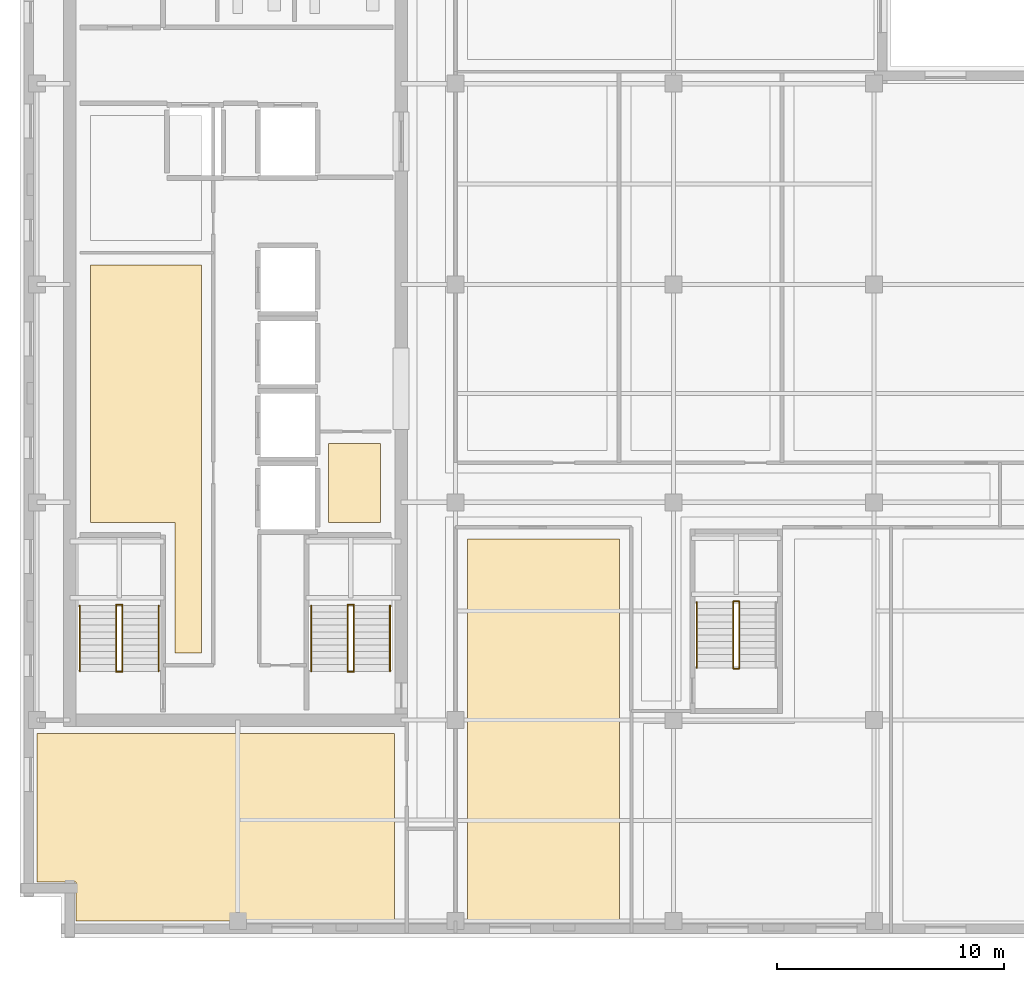
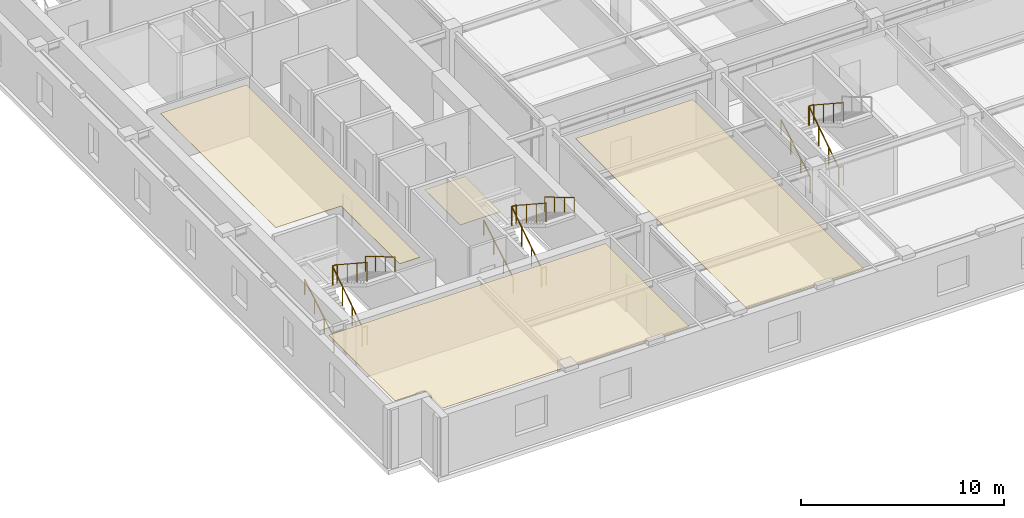
# One storey, part 7 of 10: 17 railings, 4 coverings.
"""IFC4 building model written with IfcOpenShell, lengths in metres."""

import ifcopenshell
import ifcopenshell.guid

model = None  # the IFC model being written
_history = None  # IfcOwnerHistory: only IFC2X3 demands one
_inside = {}  # id of a spatial element -> (the spatial element, [elements in it])
_under = {}  # id of a project, library or spatial element -> (it, [spatial elements below it])
_declared = {}  # id of a project -> (the project, [libraries it declares])
_typed = {}  # id of a type object -> (the type object, [elements of that type])
_made_of = {}  # id of a material, layer set ... -> (it, [elements and type objects made of it])


def new_model(schema):
    """Start an empty IFC model of exactly this schema.

    Asked for "IFC4X3", IfcOpenShell would pick the latest addendum, in which some entities
    have other attributes; the version numbers below select the first issue.
    IFC2X3 requires an IfcOwnerHistory on every rooted entity: one is made here for all.
    """
    global model, _history
    if schema == "IFC4X3":
        model = ifcopenshell.file(schema_version=(4, 3, 0, 0))
    else:
        model = ifcopenshell.file(schema=schema)
    _inside.clear()
    _under.clear()
    _declared.clear()
    _typed.clear()
    _made_of.clear()
    _history = None
    if model.schema == "IFC2X3":
        org = make("IfcOrganization", Name="unknown")
        user = make(
            "IfcPersonAndOrganization",
            ThePerson=make("IfcPerson", FamilyName="unknown"),
            TheOrganization=org,
        )
        app = make(
            "IfcApplication",
            ApplicationDeveloper=org,
            Version="unknown",
            ApplicationFullName="unknown",
            ApplicationIdentifier="unknown",
        )
        _history = make(
            "IfcOwnerHistory",
            OwningUser=user,
            OwningApplication=app,
            ChangeAction="ADDED",
            CreationDate=0,
        )
    return model


def make(cls, **values):
    """One entity of the class cls with the attributes given. An attribute that is None is left unset."""
    return model.create_entity(
        cls, **{name: value for name, value in values.items() if value is not None}
    )


def rooted(cls, **values):
    """An entity with a GlobalId (a new one), such as an element, a storey or a relation."""
    return make(cls, GlobalId=ifcopenshell.guid.new(), OwnerHistory=_history, **values)


def si_unit(unit_type, name, prefix=None):
    """IfcSIUnit, for example si_unit("LENGTHUNIT", "METRE", prefix="MILLI")."""
    return make("IfcSIUnit", UnitType=unit_type, Prefix=prefix, Name=name)


def assignment(units):
    """IfcUnitAssignment: the units of a project."""
    return None if units is None else make("IfcUnitAssignment", Units=units)


def point(xyz):
    """IfcCartesianPoint."""
    return None if xyz is None else make("IfcCartesianPoint", Coordinates=xyz)


def direction(xyz):
    """IfcDirection."""
    return None if xyz is None else make("IfcDirection", DirectionRatios=xyz)


def frame(location, z_axis=None, x_axis=None):
    """IfcAxis2Placement3D, a coordinate frame: its origin and axes. An axis left out is left unset."""
    return make(
        "IfcAxis2Placement3D",
        Location=point(location),
        Axis=direction(z_axis),
        RefDirection=direction(x_axis),
    )


def frame_2d(location, x_axis=None):
    """IfcAxis2Placement2D, a coordinate frame in the plane: its origin and x axis."""
    return make(
        "IfcAxis2Placement2D", Location=point(location), RefDirection=direction(x_axis)
    )


def origin():
    """The frame at (0, 0, 0) with its axes left unset."""
    return frame((0.0, 0.0, 0.0))


def origin_2d():
    """The frame at (0, 0) in the plane with its x axis left unset."""
    return frame_2d((0.0, 0.0))


def place(relative_to, where):
    """IfcLocalPlacement: puts the frame where relative to a parent placement (None: the world)."""
    return make(
        "IfcLocalPlacement", PlacementRelTo=relative_to, RelativePlacement=where
    )


def context(
    kind, dimensions, precision=None, world=None, true_north=None, identifier=None
):
    """IfcGeometricRepresentationContext, for example the 3D "Model" context."""
    return make(
        "IfcGeometricRepresentationContext",
        ContextIdentifier=identifier,
        ContextType=kind,
        CoordinateSpaceDimension=dimensions,
        Precision=precision,
        WorldCoordinateSystem=world,
        TrueNorth=true_north,
    )


def subcontext(parent, identifier, kind, view, scale=None):
    """IfcGeometricRepresentationSubContext, for example "Body" below "Model"."""
    return make(
        "IfcGeometricRepresentationSubContext",
        ContextIdentifier=identifier,
        ContextType=kind,
        ParentContext=parent,
        TargetScale=scale,
        TargetView=view,
    )


def project(units=None, contexts=None):
    """IfcProject with its units and contexts."""
    return rooted(
        "IfcProject",
        Name="project",
        RepresentationContexts=contexts,
        UnitsInContext=assignment(units),
    )


def spatial(cls, under=None, at=None, **own):
    """A site, building, storey or space (cls), placed at a placement, below another one or the project."""
    s = rooted(cls, ObjectPlacement=at, **own)
    if under is not None:
        _under.setdefault(under.id(), (under, []))[1].append(s)
    return s


def polyline(points):
    """IfcPolyline through the points."""
    return make("IfcPolyline", Points=[point(p) for p in points])


def profile(cls, at=None, kind="AREA", **sizes):
    """A parametric profile (cls). Its sizes go by their IFC names, for example OverallWidth=200.0."""
    return make(cls, ProfileType=kind, Position=at, **sizes)


def circle(**sizes):
    """IfcCircleProfileDef."""
    return profile("IfcCircleProfileDef", **sizes)


def outline(outer, holes=None, kind="AREA"):
    """IfcArbitraryClosedProfileDef: a profile drawn as a closed curve; with holes, ...WithVoids."""
    if holes is None:
        return make("IfcArbitraryClosedProfileDef", ProfileType=kind, OuterCurve=outer)
    return make(
        "IfcArbitraryProfileDefWithVoids",
        ProfileType=kind,
        OuterCurve=outer,
        InnerCurves=holes,
    )


def extrude(swept, where, along, depth):
    """IfcExtrudedAreaSolid: the profile swept, set in the frame where, extruded along a direction by depth."""
    return make(
        "IfcExtrudedAreaSolid",
        SweptArea=swept,
        Position=where,
        ExtrudedDirection=direction(along),
        Depth=depth,
    )


def shape(context_of_items, identifier, shape_type, items):
    """IfcShapeRepresentation: the items that make up one representation, for example the "Body"."""
    return make(
        "IfcShapeRepresentation",
        ContextOfItems=context_of_items,
        RepresentationIdentifier=identifier,
        RepresentationType=shape_type,
        Items=items,
    )


def material(Name=None, Category=None):
    """IfcMaterial."""
    return make("IfcMaterial", Name=Name, Category=Category)


def layer(
    of_material, thickness, ventilated=None, Name=None, Category=None, Priority=None
):
    """IfcMaterialLayer: one layer of a wall or slab, of a material (None: an air gap)."""
    return make(
        "IfcMaterialLayer",
        Material=of_material,
        LayerThickness=thickness,
        IsVentilated=ventilated,
        Name=Name,
        Category=Category,
        Priority=Priority,
    )


def layer_set(layers, Name=None):
    """IfcMaterialLayerSet."""
    return make("IfcMaterialLayerSet", MaterialLayers=layers, LayerSetName=Name)


def made_of(thing, what):
    """Note that an element or type object is made of a material, layer set ...; save() writes the relation."""
    if what is not None:
        _made_of.setdefault(what.id(), (what, []))[1].append(thing)
    return thing


def type_object(cls, material=None, **own):
    """A type object (cls), such as IfcWallType, which elements share."""
    return made_of(rooted(cls, **own), material)


def element(
    cls,
    number,
    at=None,
    inside=None,
    cuts=None,
    type_object=None,
    material=None,
    context=None,
    identifier="Body",
    shape_type=None,
    held_by="IfcProductDefinitionShape",
    body=None,
    shapes=None,
    **own,
):
    """One element of the class cls, such as IfcWall. Its Tag is "e" and its number.

    at: its placement. inside: the storey or other place that contains it. cuts: it is an
    opening in that element (IfcRelVoidsElement). A single representation is given by context,
    identifier, shape_type and body (its items); several are given by shapes. held_by: the class
    of the entity that holds the representations. save() writes the other relations.
    """
    e = rooted(cls, Tag="e%d" % number, ObjectPlacement=at, **own)
    if body is not None:
        shapes = [shape(context, identifier, shape_type, body)]
    if shapes is not None:
        e.Representation = make(held_by, Representations=shapes)
    if inside is not None:
        _inside.setdefault(inside.id(), (inside, []))[1].append(e)
    if cuts is not None:
        rooted(
            "IfcRelVoidsElement", RelatingBuildingElement=cuts, RelatedOpeningElement=e
        )
    if type_object is not None:
        _typed.setdefault(type_object.id(), (type_object, []))[1].append(e)
    return made_of(e, material)


def aggregate(whole, parts):
    """IfcRelAggregates: a whole, such as a stair, and the parts it consists of."""
    return rooted("IfcRelAggregates", RelatingObject=whole, RelatedObjects=parts)


def save(model, path):
    """Write the relations noted so far, then the file.

    IfcRelAggregates (storeys below a building ...), IfcRelContainedInSpatialStructure (elements
    in a storey), IfcRelDefinesByType, IfcRelAssociatesMaterial and IfcRelDeclares: one each for
    every whole, place, type object, material and project.
    """
    for whole, parts in _under.values():
        aggregate(whole, parts)
    for where, things in _inside.values():
        rooted(
            "IfcRelContainedInSpatialStructure",
            RelatedElements=things,
            RelatingStructure=where,
        )
    for kind, things in _typed.values():
        rooted("IfcRelDefinesByType", RelatedObjects=things, RelatingType=kind)
    for what, things in _made_of.values():
        rooted("IfcRelAssociatesMaterial", RelatedObjects=things, RelatingMaterial=what)
    for by, libraries in _declared.values():
        rooted("IfcRelDeclares", RelatingContext=by, RelatedDefinitions=libraries)
    model.write(path)


model = new_model("IFC4")

# Units and contexts
model_context = context("Model", 3, precision=1e-05, world=origin(), true_north=direction((0.0, 1.0)))
body_context = subcontext(model_context, "Body", "Model", "MODEL_VIEW")
ifc_project = project(units=[si_unit("LENGTHUNIT", "METRE"), si_unit("AREAUNIT", "SQUARE_METRE"), si_unit("VOLUMEUNIT", "CUBIC_METRE"), si_unit("PLANEANGLEUNIT", "RADIAN"), si_unit("MASSUNIT", "GRAM", prefix="KILO")], contexts=[model_context])

# Site, building, storey
site_placement = place(None, origin())
site = spatial("IfcSite", under=ifc_project, at=site_placement, CompositionType="ELEMENT")
building_placement = place(site_placement, origin())
building = spatial("IfcBuilding", under=site, at=building_placement, Name="Norrvale University Quadrangle", CompositionType="ELEMENT")
storey_placement = place(building_placement, frame((0.0, 0.0, 269.60009765625)))
storey = spatial("IfcBuildingStorey", under=building, at=storey_placement, Name="L68", CompositionType="ELEMENT", Elevation=269.60009765625)

# Coverings
ifc_material_1 = material(Name="Perforated Acoustic Mineral Ceiling")
ifc_layer_1 = layer(ifc_material_1, 0.02490234375, Name="Perforated Acoustic Mineral Ceiling")
ifc_layer_set_1 = layer_set([ifc_layer_1], Name="Perforated Acoustic Mineral Ceiling")
covering_type_1 = type_object("IfcCoveringType", Name="Covering Acoustic Ceiling 25", PredefinedType="CEILING", material=ifc_layer_set_1)
covering_1_placement = place(storey_placement, frame((0.0, 0.0, 3.514892578125)))
element("IfcCovering", 1, at=covering_1_placement, inside=storey, type_object=covering_type_1, Name="Acoustic Ceiling RM-L68-REC1", PredefinedType="CEILING", context=body_context, shape_type="SweptSolid", body=[
    extrude(outline(polyline([(3.10009765625, 18.300048828125), (3.10009765625, 29.64990234375), (8.0, 29.64990234375), (8.0, 12.550048828125), (6.830078125, 12.550048828125), (6.830078125, 18.300048828125), (3.10009765625, 18.300048828125)])), origin(), (0.0, 0.0, 1.0), 0.02490234375),
])
covering_2_placement = place(storey_placement, frame((0.0, 0.0, 3.514892578125)))
element("IfcCovering", 2, at=covering_2_placement, inside=storey, type_object=covering_type_1, Name="Acoustic Ceiling RM-L68-SW1", PredefinedType="CEILING", context=body_context, shape_type="SweptSolid", body=[
    extrude(outline(polyline([(0.75, 9.0), (16.5, 9.0), (16.5, 0.75), (2.469970703125, 0.75), (2.469970703125, 2.469970703125), (0.75, 2.469970703125), (0.75, 9.0)])), origin(), (0.0, 0.0, 1.0), 0.02490234375),
])
covering_3_placement = place(storey_placement, frame((0.0, 0.0, 3.514892578125)))
element("IfcCovering", 3, at=covering_3_placement, inside=storey, type_object=covering_type_1, Name="Acoustic Ceiling RM-L68-SE1", PredefinedType="CEILING", context=body_context, shape_type="SweptSolid", body=[
    extrude(outline(polyline([(19.72998046875, 17.570068359375), (26.419921875, 17.570068359375), (26.419921875, 0.75), (19.72998046875, 0.75), (19.72998046875, 17.570068359375)])), origin(), (0.0, 0.0, 1.0), 0.02490234375),
])
ifc_material_2 = material(Name="Polished Terrazzo Flooring")
ifc_layer_2 = layer(ifc_material_2, 0.02490234375, Name="Polished Terrazzo Flooring")
ifc_layer_set_2 = layer_set([ifc_layer_2], Name="Polished Terrazzo Flooring")
covering_type_2 = type_object("IfcCoveringType", Name="Covering Terrazzo Floor 30", PredefinedType="FLOORING", material=ifc_layer_set_2)
covering_4_placement = place(storey_placement, origin())
element("IfcCovering", 4, at=covering_4_placement, inside=storey, type_object=covering_type_2, Name="Terrazzo Flooring RM-L68-JAN", PredefinedType="FLOORING", context=body_context, shape_type="SweptSolid", body=[
    extrude(outline(polyline([(13.60009765625, 18.300048828125), (13.60009765625, 21.800048828125), (15.89990234375, 21.800048828125), (15.89990234375, 18.300048828125), (13.60009765625, 18.300048828125)])), origin(), (0.0, 0.0, 1.0), 0.02490234375),
])

# Railings
ifc_material_3 = material(Name="Steel 350W Painted Balustrade", Category="steel")
railing_type_1 = type_object("IfcRailingType", Name="Railing Stair Guard 1100", PredefinedType="GUARDRAIL", material=ifc_material_3)
for number, where, name in (
    (5, (4.239990234375, 11.719970703125, 0.0), "Stair Floor Well Guard ST-01 L68"),
    (6, (4.239990234375, 14.679931640625, 1.89990234375), "Stair Mid-Landing Slot Guard ST-01 L68"),
):
    element("IfcRailing", number, at=place(storey_placement, frame(where)), inside=storey, type_object=railing_type_1, Name=name, PredefinedType="GUARDRAIL", context=body_context, shape_type="SweptSolid", body=[
        extrude(circle(Radius=0.02392578125, at=origin_2d()), frame((0.0, 0.0, 1.1259765625), z_axis=(1.0, 0.0, 0.0), x_axis=(0.0, 1.0, 0.0)), (0.0, 0.0, 1.0), 0.27001953125),
        extrude(circle(Radius=0.02099609375, at=origin_2d()), origin(), (0.0, 0.0, 1.0), 1.101806640625),
        extrude(circle(Radius=0.02099609375, at=origin_2d()), frame((0.27001953125, 0.0, 0.0)), (0.0, 0.0, 1.0), 1.101806640625),
    ])
railing_1_placement = place(storey_placement, frame((4.239990234375, 11.75, 0.0)))
element("IfcRailing", 7, at=railing_1_placement, inside=storey, type_object=railing_type_1, Name="Stair Lower Flight Inner Guard ST-01 L68", PredefinedType="GUARDRAIL", context=body_context, shape_type="SweptSolid", body=[
    extrude(circle(Radius=0.02392578125, at=origin_2d()), frame((0.0, 0.0, 1.1259765625), z_axis=(0.0, 0.836465582154, 0.548019461216), x_axis=(-1.0, 0.0, 0.0)), (0.0, 0.0, 1.0), 3.466796875),
    extrude(circle(Radius=0.02099609375, at=origin_2d()), origin(), (0.0, 0.0, 1.0), 1.101806640625),
    extrude(circle(Radius=0.02099609375, at=origin_2d()), frame((0.0, 0.966552734375, 0.63330078125)), (0.0, 0.0, 1.0), 1.101806640625),
    extrude(circle(Radius=0.02099609375, at=origin_2d()), frame((0.0, 1.933349609375, 1.2666015625)), (0.0, 0.0, 1.0), 1.101806640625),
    extrude(circle(Radius=0.02099609375, at=origin_2d()), frame((0.0, 2.89990234375, 1.89990234375)), (0.0, 0.0, 1.0), 1.101806640625),
])
railing_2_placement = place(storey_placement, frame((4.510009765625, 14.64990234375, 1.89990234375)))
element("IfcRailing", 8, at=railing_2_placement, inside=storey, type_object=railing_type_1, Name="Stair Upper Flight Inner Guard ST-01 L68", PredefinedType="GUARDRAIL", context=body_context, shape_type="SweptSolid", body=[
    extrude(circle(Radius=0.02392578125, at=origin_2d()), frame((0.0, 0.0, 1.1259765625), z_axis=(0.0, -0.836465582154, 0.548019461216), x_axis=(1.0, 0.0, 0.0)), (0.0, 0.0, 1.0), 3.466796875),
    extrude(circle(Radius=0.02099609375, at=origin_2d()), origin(), (0.0, 0.0, 1.0), 1.101806640625),
    extrude(circle(Radius=0.02099609375, at=origin_2d()), frame((0.0, -0.966552734375, 0.63330078125)), (0.0, 0.0, 1.0), 1.101806640625),
    extrude(circle(Radius=0.02099609375, at=origin_2d()), frame((0.0, -1.933349609375, 1.2666015625)), (0.0, 0.0, 1.0), 1.101806640625),
    extrude(circle(Radius=0.02099609375, at=origin_2d()), frame((0.0, -2.89990234375, 1.89990234375)), (0.0, 0.0, 1.0), 1.101806640625),
])
for number, where, name in (
    (9, (14.43994140625, 11.719970703125, 0.0), "Stair Floor Well Guard ST-03 L68"),
    (10, (14.43994140625, 14.679931640625, 1.89990234375), "Stair Mid-Landing Slot Guard ST-03 L68"),
):
    element("IfcRailing", number, at=place(storey_placement, frame(where)), inside=storey, type_object=railing_type_1, Name=name, PredefinedType="GUARDRAIL", context=body_context, shape_type="SweptSolid", body=[
        extrude(circle(Radius=0.02392578125, at=origin_2d()), frame((0.0, 0.0, 1.1259765625), z_axis=(1.0, 0.0, 0.0), x_axis=(0.0, 1.0, 0.0)), (0.0, 0.0, 1.0), 0.27001953125),
        extrude(circle(Radius=0.02099609375, at=origin_2d()), origin(), (0.0, 0.0, 1.0), 1.101806640625),
        extrude(circle(Radius=0.02099609375, at=origin_2d()), frame((0.27001953125, 0.0, 0.0)), (0.0, 0.0, 1.0), 1.101806640625),
    ])
railing_3_placement = place(storey_placement, frame((14.43994140625, 11.75, 0.0)))
element("IfcRailing", 11, at=railing_3_placement, inside=storey, type_object=railing_type_1, Name="Stair Lower Flight Inner Guard ST-03 L68", PredefinedType="GUARDRAIL", context=body_context, shape_type="SweptSolid", body=[
    extrude(circle(Radius=0.02392578125, at=origin_2d()), frame((0.0, 0.0, 1.1259765625), z_axis=(0.0, 0.836465582154, 0.548019461216), x_axis=(-1.0, 0.0, 0.0)), (0.0, 0.0, 1.0), 3.466796875),
    extrude(circle(Radius=0.02099609375, at=origin_2d()), origin(), (0.0, 0.0, 1.0), 1.101806640625),
    extrude(circle(Radius=0.02099609375, at=origin_2d()), frame((0.0, 0.966552734375, 0.63330078125)), (0.0, 0.0, 1.0), 1.101806640625),
    extrude(circle(Radius=0.02099609375, at=origin_2d()), frame((0.0, 1.933349609375, 1.2666015625)), (0.0, 0.0, 1.0), 1.101806640625),
    extrude(circle(Radius=0.02099609375, at=origin_2d()), frame((0.0, 2.89990234375, 1.89990234375)), (0.0, 0.0, 1.0), 1.101806640625),
])
railing_4_placement = place(storey_placement, frame((14.7099609375, 14.64990234375, 1.89990234375)))
element("IfcRailing", 12, at=railing_4_placement, inside=storey, type_object=railing_type_1, Name="Stair Upper Flight Inner Guard ST-03 L68", PredefinedType="GUARDRAIL", context=body_context, shape_type="SweptSolid", body=[
    extrude(circle(Radius=0.02392578125, at=origin_2d()), frame((0.0, 0.0, 1.1259765625), z_axis=(0.0, -0.836465582154, 0.548019461216), x_axis=(1.0, 0.0, 0.0)), (0.0, 0.0, 1.0), 3.466796875),
    extrude(circle(Radius=0.02099609375, at=origin_2d()), origin(), (0.0, 0.0, 1.0), 1.101806640625),
    extrude(circle(Radius=0.02099609375, at=origin_2d()), frame((0.0, -0.966552734375, 0.63330078125)), (0.0, 0.0, 1.0), 1.101806640625),
    extrude(circle(Radius=0.02099609375, at=origin_2d()), frame((0.0, -1.933349609375, 1.2666015625)), (0.0, 0.0, 1.0), 1.101806640625),
    extrude(circle(Radius=0.02099609375, at=origin_2d()), frame((0.0, -2.89990234375, 1.89990234375)), (0.0, 0.0, 1.0), 1.101806640625),
])
for number, where, name in (
    (13, (31.43994140625, 11.8701171875, 0.0), "Stair Floor Well Guard ST-04 L68"),
    (14, (31.43994140625, 14.830078125, 1.89990234375), "Stair Mid-Landing Slot Guard ST-04 L68"),
):
    element("IfcRailing", number, at=place(storey_placement, frame(where)), inside=storey, type_object=railing_type_1, Name=name, PredefinedType="GUARDRAIL", context=body_context, shape_type="SweptSolid", body=[
        extrude(circle(Radius=0.02392578125, at=origin_2d()), frame((0.0, 0.0, 1.1259765625), z_axis=(1.0, 0.0, 0.0), x_axis=(0.0, 1.0, 0.0)), (0.0, 0.0, 1.0), 0.27001953125),
        extrude(circle(Radius=0.02099609375, at=origin_2d()), origin(), (0.0, 0.0, 1.0), 1.101806640625),
        extrude(circle(Radius=0.02099609375, at=origin_2d()), frame((0.27001953125, 0.0, 0.0)), (0.0, 0.0, 1.0), 1.101806640625),
    ])
railing_5_placement = place(storey_placement, frame((31.43994140625, 11.89990234375, 0.0)))
element("IfcRailing", 15, at=railing_5_placement, inside=storey, type_object=railing_type_1, Name="Stair Lower Flight Inner Guard ST-04 L68", PredefinedType="GUARDRAIL", context=body_context, shape_type="SweptSolid", body=[
    extrude(circle(Radius=0.02392578125, at=origin_2d()), frame((0.0, 0.0, 1.1259765625), z_axis=(0.0, 0.836486729621, 0.547987181573), x_axis=(-1.0, 0.0, 0.0)), (0.0, 0.0, 1.0), 3.467041015625),
    extrude(circle(Radius=0.02099609375, at=origin_2d()), origin(), (0.0, 0.0, 1.0), 1.101806640625),
    extrude(circle(Radius=0.02099609375, at=origin_2d()), frame((0.0, 0.966796875, 0.63330078125)), (0.0, 0.0, 1.0), 1.101806640625),
    extrude(circle(Radius=0.02099609375, at=origin_2d()), frame((0.0, 1.933349609375, 1.2666015625)), (0.0, 0.0, 1.0), 1.101806640625),
    extrude(circle(Radius=0.02099609375, at=origin_2d()), frame((0.0, 2.900146484375, 1.89990234375)), (0.0, 0.0, 1.0), 1.101806640625),
])
railing_6_placement = place(storey_placement, frame((31.7099609375, 14.800048828125, 1.89990234375)))
element("IfcRailing", 16, at=railing_6_placement, inside=storey, type_object=railing_type_1, Name="Stair Upper Flight Inner Guard ST-04 L68", PredefinedType="GUARDRAIL", context=body_context, shape_type="SweptSolid", body=[
    extrude(circle(Radius=0.02392578125, at=origin_2d()), frame((0.0, 0.0, 1.1259765625), z_axis=(0.0, -0.836486729621, 0.547987181573), x_axis=(1.0, 0.0, 0.0)), (0.0, 0.0, 1.0), 3.467041015625),
    extrude(circle(Radius=0.02099609375, at=origin_2d()), origin(), (0.0, 0.0, 1.0), 1.101806640625),
    extrude(circle(Radius=0.02099609375, at=origin_2d()), frame((0.0, -0.966796875, 0.63330078125)), (0.0, 0.0, 1.0), 1.101806640625),
    extrude(circle(Radius=0.02099609375, at=origin_2d()), frame((0.0, -1.933349609375, 1.2666015625)), (0.0, 0.0, 1.0), 1.101806640625),
    extrude(circle(Radius=0.02099609375, at=origin_2d()), frame((0.0, -2.900146484375, 1.89990234375)), (0.0, 0.0, 1.0), 1.101806640625),
])
ifc_material_4 = material(Name="Stainless Steel 316L Handrail", Category="steel")
railing_type_2 = type_object("IfcRailingType", Name="Railing Stair Handrail 920", PredefinedType="HANDRAIL", material=ifc_material_4)
railing_7_placement = place(storey_placement, frame((2.639892578125, 11.75, 0.172607421875)))
element("IfcRailing", 17, at=railing_7_placement, inside=storey, type_object=railing_type_2, Name="Stair Lower Flight Handrail ST-01 L68", PredefinedType="HANDRAIL", context=body_context, shape_type="SweptSolid", body=[
    extrude(circle(Radius=0.02392578125, at=origin_2d()), frame((0.0, 0.0, 0.89599609375), z_axis=(0.0, 0.859141464434, 0.511738159696), x_axis=(-1.0, 0.0, 0.0)), (0.0, 0.0, 1.0), 3.375244140625),
    extrude(circle(Radius=0.02099609375, at=origin_2d()), origin(), (0.0, 0.0, 1.0), 0.871826171875),
    extrude(circle(Radius=0.02099609375, at=origin_2d()), frame((0.0, 0.966552734375, 0.57568359375)), (0.0, 0.0, 1.0), 0.871826171875),
    extrude(circle(Radius=0.02099609375, at=origin_2d()), frame((0.0, 1.933349609375, 1.151611328125)), (0.0, 0.0, 1.0), 0.871826171875),
    extrude(circle(Radius=0.02099609375, at=origin_2d()), frame((0.0, 2.89990234375, 1.727294921875)), (0.0, 0.0, 1.0), 0.871826171875),
])
railing_8_placement = place(storey_placement, frame((6.110107421875, 14.64990234375, 2.072509765625)))
element("IfcRailing", 18, at=railing_8_placement, inside=storey, type_object=railing_type_2, Name="Stair Upper Flight Handrail ST-01 L68", PredefinedType="HANDRAIL", context=body_context, shape_type="SweptSolid", body=[
    extrude(circle(Radius=0.02392578125, at=origin_2d()), frame((0.0, 0.0, 0.89599609375), z_axis=(0.0, -0.859141464434, 0.511738159696), x_axis=(1.0, 0.0, 0.0)), (0.0, 0.0, 1.0), 3.375244140625),
    extrude(circle(Radius=0.02099609375, at=origin_2d()), origin(), (0.0, 0.0, 1.0), 0.871826171875),
    extrude(circle(Radius=0.02099609375, at=origin_2d()), frame((0.0, -0.966552734375, 0.57568359375)), (0.0, 0.0, 1.0), 0.871826171875),
    extrude(circle(Radius=0.02099609375, at=origin_2d()), frame((0.0, -1.933349609375, 1.151611328125)), (0.0, 0.0, 1.0), 0.871826171875),
    extrude(circle(Radius=0.02099609375, at=origin_2d()), frame((0.0, -2.89990234375, 1.727294921875)), (0.0, 0.0, 1.0), 0.871826171875),
])
railing_9_placement = place(storey_placement, frame((12.840087890625, 11.75, 0.172607421875)))
element("IfcRailing", 19, at=railing_9_placement, inside=storey, type_object=railing_type_2, Name="Stair Lower Flight Handrail ST-03 L68", PredefinedType="HANDRAIL", context=body_context, shape_type="SweptSolid", body=[
    extrude(circle(Radius=0.02392578125, at=origin_2d()), frame((0.0, 0.0, 0.89599609375), z_axis=(0.0, 0.859141464434, 0.511738159696), x_axis=(-1.0, 0.0, 0.0)), (0.0, 0.0, 1.0), 3.375244140625),
    extrude(circle(Radius=0.02099609375, at=origin_2d()), origin(), (0.0, 0.0, 1.0), 0.871826171875),
    extrude(circle(Radius=0.02099609375, at=origin_2d()), frame((0.0, 0.966552734375, 0.57568359375)), (0.0, 0.0, 1.0), 0.871826171875),
    extrude(circle(Radius=0.02099609375, at=origin_2d()), frame((0.0, 1.933349609375, 1.151611328125)), (0.0, 0.0, 1.0), 0.871826171875),
    extrude(circle(Radius=0.02099609375, at=origin_2d()), frame((0.0, 2.89990234375, 1.727294921875)), (0.0, 0.0, 1.0), 0.871826171875),
])
railing_10_placement = place(storey_placement, frame((16.31005859375, 14.64990234375, 2.072509765625)))
element("IfcRailing", 20, at=railing_10_placement, inside=storey, type_object=railing_type_2, Name="Stair Upper Flight Handrail ST-03 L68", PredefinedType="HANDRAIL", context=body_context, shape_type="SweptSolid", body=[
    extrude(circle(Radius=0.02392578125, at=origin_2d()), frame((0.0, 0.0, 0.89599609375), z_axis=(0.0, -0.859141464434, 0.511738159696), x_axis=(1.0, 0.0, 0.0)), (0.0, 0.0, 1.0), 3.375244140625),
    extrude(circle(Radius=0.02099609375, at=origin_2d()), origin(), (0.0, 0.0, 1.0), 0.871826171875),
    extrude(circle(Radius=0.02099609375, at=origin_2d()), frame((0.0, -0.966552734375, 0.57568359375)), (0.0, 0.0, 1.0), 0.871826171875),
    extrude(circle(Radius=0.02099609375, at=origin_2d()), frame((0.0, -1.933349609375, 1.151611328125)), (0.0, 0.0, 1.0), 0.871826171875),
    extrude(circle(Radius=0.02099609375, at=origin_2d()), frame((0.0, -2.89990234375, 1.727294921875)), (0.0, 0.0, 1.0), 0.871826171875),
])
railing_11_placement = place(storey_placement, frame((29.840087890625, 11.89990234375, 0.172607421875)))
element("IfcRailing", 21, at=railing_11_placement, inside=storey, type_object=railing_type_2, Name="Stair Lower Flight Handrail ST-04 L68", PredefinedType="HANDRAIL", context=body_context, shape_type="SweptSolid", body=[
    extrude(circle(Radius=0.02392578125, at=origin_2d()), frame((0.0, 0.0, 0.89599609375), z_axis=(0.0, 0.859160404282, 0.51170636083), x_axis=(-1.0, 0.0, 0.0)), (0.0, 0.0, 1.0), 3.37548828125),
    extrude(circle(Radius=0.02099609375, at=origin_2d()), origin(), (0.0, 0.0, 1.0), 0.871826171875),
    extrude(circle(Radius=0.02099609375, at=origin_2d()), frame((0.0, 0.966796875, 0.57568359375)), (0.0, 0.0, 1.0), 0.871826171875),
    extrude(circle(Radius=0.02099609375, at=origin_2d()), frame((0.0, 1.933349609375, 1.151611328125)), (0.0, 0.0, 1.0), 0.871826171875),
    extrude(circle(Radius=0.02099609375, at=origin_2d()), frame((0.0, 2.900146484375, 1.727294921875)), (0.0, 0.0, 1.0), 0.871826171875),
])

save(model, "model.ifc")
